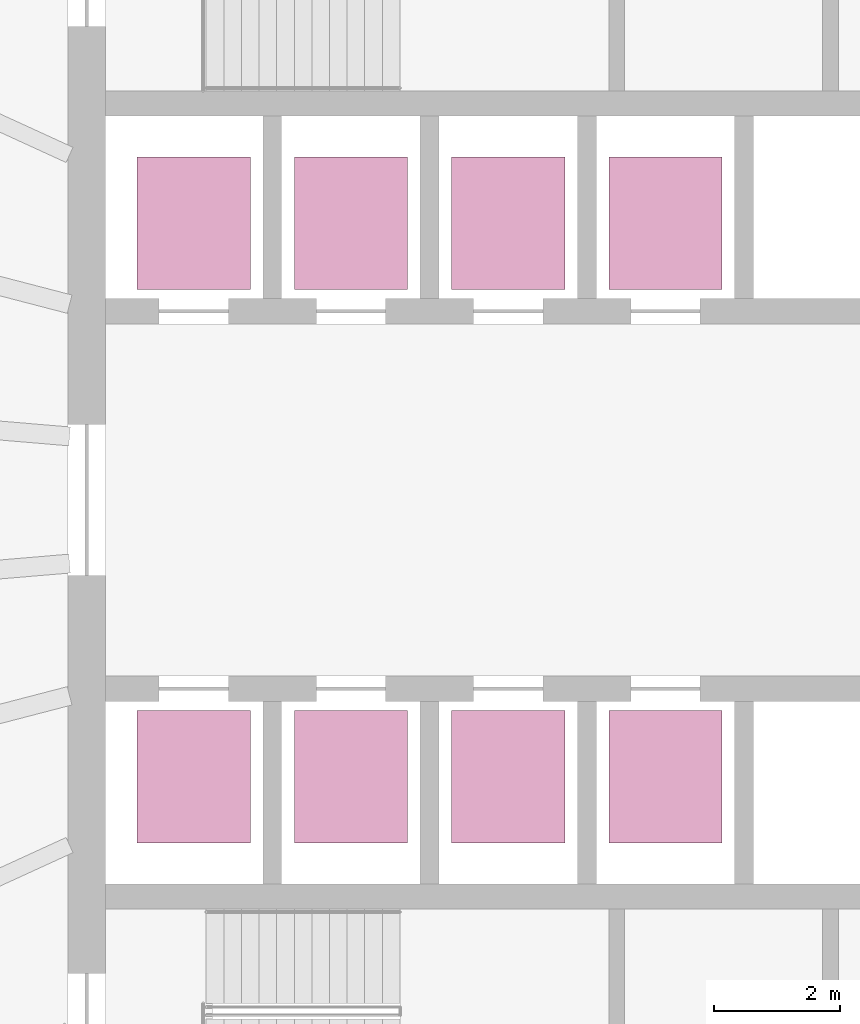
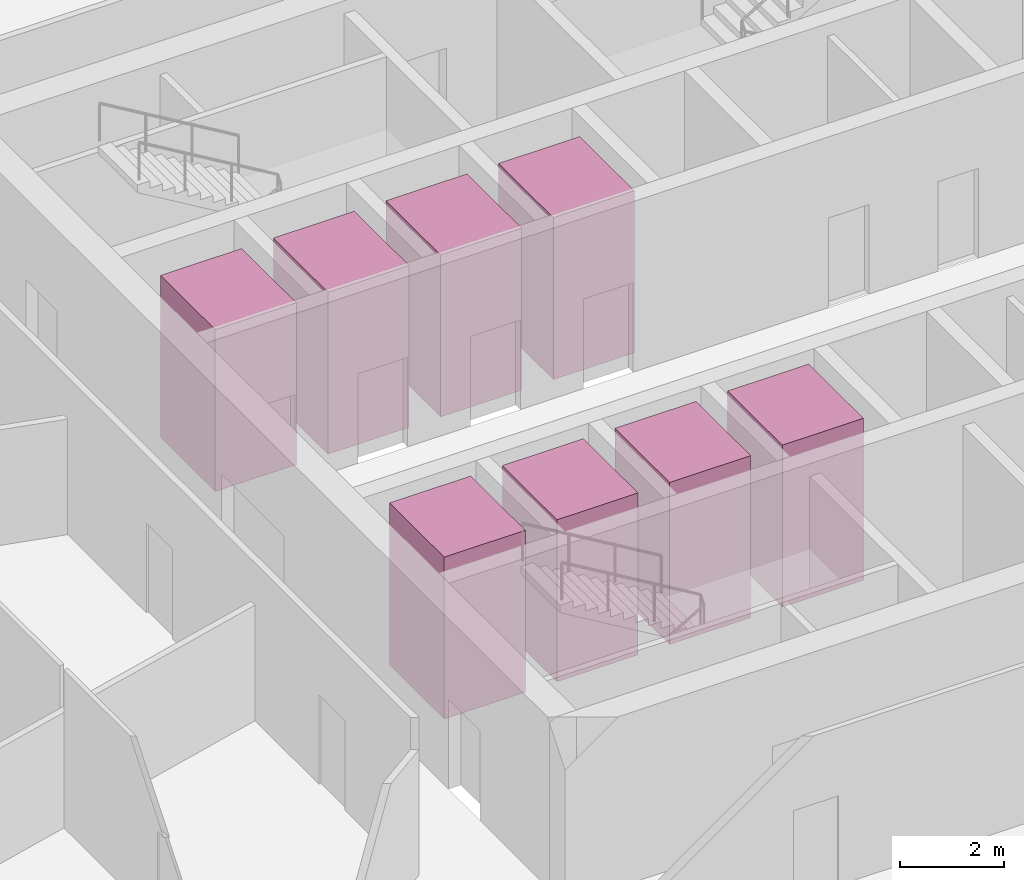
# One storey, part 10 of 10: 8 transport elements.
"""IFC4 building model written with IfcOpenShell, lengths in metres."""

from ifc_helpers import new_model, si_unit, direction, frame, origin, origin_2d, place, context, subcontext, project, spatial, rectangle, extrude, material, type_object, element, save


model = new_model("IFC4")

# Units and contexts
model_context = context("Model", 3, precision=1e-05, world=origin(), true_north=direction((0.0, 1.0)))
body_context = subcontext(model_context, "Body", "Model", "MODEL_VIEW")
ifc_project = project(units=[si_unit("LENGTHUNIT", "METRE"), si_unit("AREAUNIT", "SQUARE_METRE"), si_unit("VOLUMEUNIT", "CUBIC_METRE"), si_unit("PLANEANGLEUNIT", "RADIAN"), si_unit("MASSUNIT", "GRAM", prefix="KILO")], contexts=[model_context])

# Site, building, storey
site_placement = place(None, origin())
site = spatial("IfcSite", under=ifc_project, at=site_placement, CompositionType="ELEMENT")
building_placement = place(site_placement, origin())
building = spatial("IfcBuilding", under=site, at=building_placement, Name="Halqa Exchange Tower", CompositionType="ELEMENT")
storey_placement = place(building_placement, frame((0.0, 0.0, 190.89990234375)))
storey = spatial("IfcBuildingStorey", under=building, at=storey_placement, Name="L43", CompositionType="ELEMENT", Elevation=190.89990234375)

# Transport elements
ifc_material = material(Name="Stainless steel", Category="steel")
transport_element_type_1 = type_object("IfcTransportElementType", Name="High-rise passenger lift 1800 x 2100", PredefinedType="ELEVATOR", material=ifc_material)
for number, where, z_axis, x_axis, name in (
    (1, (-10.0, 4.39990234375, 0.0), (0.0, 0.0, 1.0), (1.0, 0.0, 0.0), "High-rise passenger lift HR1"),
    (2, (-7.5, 4.39990234375, 0.0), (0.0, 0.0, 1.0), (1.0, 0.0, 0.0), "High-rise passenger lift HR2"),
    (3, (-10.0, -4.39990234375, 0.0), (0.0, 0.0, 1.0), (1.0, 0.0, 0.0), "High-rise passenger lift HR3"),
    (4, (-7.5, -4.39990234375, 0.0), (0.0, 0.0, 1.0), (1.0, 0.0, 0.0), "High-rise passenger lift HR4"),
):
    element("IfcTransportElement", number, at=place(storey_placement, frame(where, z_axis=z_axis, x_axis=x_axis)), inside=storey, type_object=transport_element_type_1, Name=name, PredefinedType="ELEVATOR", context=body_context, shape_type="SweptSolid", body=[
        extrude(rectangle(XDim=1.800048828125, YDim=2.10009765625, at=origin_2d()), origin(), (0.0, 0.0, 1.0), 3.800048828125),
    ])
transport_element_type_2 = type_object("IfcTransportElementType", Name="Mid-rise passenger lift 1800 x 2100", PredefinedType="ELEVATOR", material=ifc_material)
for number, where, z_axis, x_axis, name in (
    (5, (-5.0, 4.39990234375, 0.0), (0.0, 0.0, 1.0), (1.0, 0.0, 0.0), "Mid-rise passenger lift MR1"),
    (6, (-2.5, 4.39990234375, 0.0), (0.0, 0.0, 1.0), (1.0, 0.0, 0.0), "Mid-rise passenger lift MR2"),
    (7, (-5.0, -4.39990234375, 0.0), (0.0, 0.0, 1.0), (1.0, 0.0, 0.0), "Mid-rise passenger lift MR3"),
    (8, (-2.5, -4.39990234375, 0.0), (0.0, 0.0, 1.0), (1.0, 0.0, 0.0), "Mid-rise passenger lift MR4"),
):
    element("IfcTransportElement", number, at=place(storey_placement, frame(where, z_axis=z_axis, x_axis=x_axis)), inside=storey, type_object=transport_element_type_2, Name=name, PredefinedType="ELEVATOR", context=body_context, shape_type="SweptSolid", body=[
        extrude(rectangle(XDim=1.800048828125, YDim=2.10009765625, at=origin_2d()), origin(), (0.0, 0.0, 1.0), 3.800048828125),
    ])

save(model, "model.ifc")
